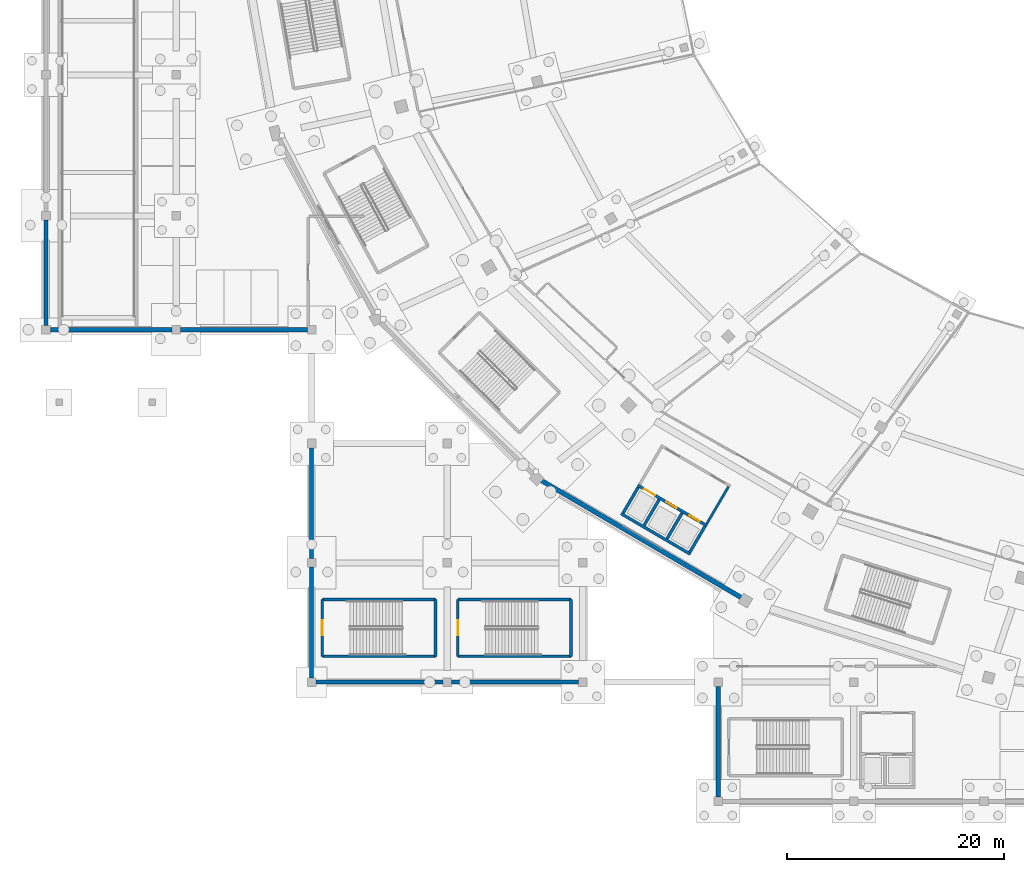
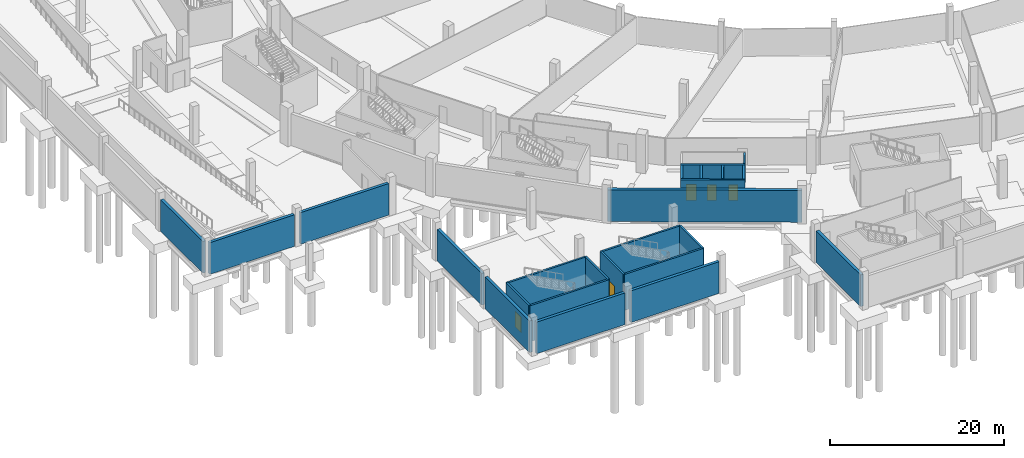
# One storey, part 31 of 74: 24 walls, 5 doors, 5 openings.
"""IFC4 building model written with IfcOpenShell, lengths in metres."""

from ifc_helpers import new_model, si_unit, direction, frame, frame_2d, origin, place, context, subcontext, project, spatial, rectangle, extrude, material, layer, layer_set, type_object, element, fill, save


model = new_model("IFC4")

# Units and contexts
model_context = context("Model", 3, precision=1e-05, world=origin(), true_north=direction((0.0, 1.0)))
body_context = subcontext(model_context, "Body", "Model", "MODEL_VIEW")
ifc_project = project(units=[si_unit("LENGTHUNIT", "METRE"), si_unit("AREAUNIT", "SQUARE_METRE"), si_unit("VOLUMEUNIT", "CUBIC_METRE"), si_unit("PLANEANGLEUNIT", "RADIAN"), si_unit("MASSUNIT", "GRAM", prefix="KILO")], contexts=[model_context])

# Site, building, storey
site_placement = place(None, origin())
site = spatial("IfcSite", under=ifc_project, at=site_placement, CompositionType="ELEMENT")
building_placement = place(site_placement, origin())
building = spatial("IfcBuilding", under=site, at=building_placement, Name="Zlatoyarsky Gate Stadium", CompositionType="ELEMENT")
storey_placement = place(building_placement, frame((0.0, 0.0, -5.39990234375)))
storey = spatial("IfcBuildingStorey", under=building, at=storey_placement, Name="B1", CompositionType="ELEMENT", Elevation=-5.39990234375)

# Walls
ifc_material_1 = material(Name="Concrete C35/45", Category="concrete")
ifc_layer_1 = layer(ifc_material_1, 0.419921875)
ifc_layer_set_1 = layer_set([ifc_layer_1], Name="Concrete C35/45")
wall_type_1 = type_object("IfcWallType", Name="CONCRETE BASEMENT RETAINING WALL 420", PredefinedType="SOLIDWALL", material=ifc_layer_set_1)
wall_1_placement = place(storey_placement, frame((45.2744140625, 29.830810546875, 0.0), z_axis=(0.0, 0.0, 1.0), x_axis=(0.862881315776, -0.505406603523, 0.0)))
element("IfcWall", 1, at=wall_1_placement, inside=storey, type_object=wall_type_1, Name="B1 perimeter retaining wall sector 15", PredefinedType="SOLIDWALL", context=body_context, shape_type="SweptSolid", body=[
    extrude(rectangle(XDim=22.3095703125, YDim=0.419921875, at=frame_2d((11.15478515625, 0.0))), origin(), (0.0, 0.0, 1.0), 4.449951171875),
])
ifc_material_2 = material(Name="Concrete C40/50", Category="concrete")
ifc_layer_2 = layer(ifc_material_2, 0.27001953125)
ifc_layer_set_2 = layer_set([ifc_layer_2], Name="Concrete C40/50")
wall_type_2 = type_object("IfcWallType", Name="CONCRETE LIFT SHAFT SHEAR WALL 270", PredefinedType="SHEAR", material=ifc_layer_set_2)
wall_2_placement = place(storey_placement, frame((53.037353515625, 26.541015625, 0.0), z_axis=(0.0, 0.0, 1.0), x_axis=(0.862865684113, -0.505433290534, 0.0)))
element("IfcWall", 2, at=wall_2_placement, inside=storey, type_object=wall_type_2, Name="C3 B1 lift shaft rear wall", PredefinedType="SHEAR", context=body_context, shape_type="SweptSolid", body=[
    extrude(rectangle(XDim=7.400146484375, YDim=0.27001953125, at=frame_2d((3.7001953125, 0.0))), origin(), (0.0, 0.0, 1.0), 5.0498046875),
])
for number, where, z_axis, x_axis, name in (
    (3, (53.227294921875, 26.597900390625, 0.0), (0.0, 0.0, 1.0), (0.505465660416, 0.862846722275, 0.0), "C3 B1 lift shaft left wall"),
    (4, (59.37939453125, 22.993896484375, 0.0), (0.0, 0.0, 1.0), (0.505465660416, 0.862846722275, 0.0), "C3 B1 lift shaft right wall"),
):
    element("IfcWall", number, at=place(storey_placement, frame(where, z_axis=z_axis, x_axis=x_axis)), inside=storey, type_object=wall_type_2, Name=name, PredefinedType="SHEAR", context=body_context, shape_type="SweptSolid", body=[
        extrude(rectangle(XDim=2.739990234375, YDim=0.27001953125, at=frame_2d((1.3701171875, 0.0))), origin(), (0.0, 0.0, 1.0), 5.0498046875),
    ])
wall_3_placement = place(storey_placement, frame((55.159912109375, 25.4658203125, 0.0), z_axis=(0.0, 0.0, 1.0), x_axis=(0.505504523015, 0.862823954936, 0.0)))
element("IfcWall", 5, at=wall_3_placement, inside=storey, type_object=wall_type_2, Name="C3 B1 lift shaft divider 1", PredefinedType="SHEAR", context=body_context, shape_type="SweptSolid", body=[
    extrude(rectangle(XDim=2.73974609375, YDim=0.27001953125, at=frame_2d((1.369873046875, 0.0))), origin(), (0.0, 0.0, 1.0), 5.0498046875),
])
wall_4_placement = place(storey_placement, frame((57.27392578125, 24.227294921875, 0.0), z_axis=(0.0, 0.0, 1.0), x_axis=(0.505465660416, 0.862846722275, 0.0)))
element("IfcWall", 6, at=wall_4_placement, inside=storey, type_object=wall_type_2, Name="C3 B1 lift shaft divider 2", PredefinedType="SHEAR", context=body_context, shape_type="SweptSolid", body=[
    extrude(rectangle(XDim=2.739990234375, YDim=0.27001953125, at=frame_2d((1.3701171875, 0.0))), origin(), (0.0, 0.0, 1.0), 5.0498046875),
])

# Wall, openings, doors
wall_5_placement = place(storey_placement, frame((54.569091796875, 29.155517578125, 0.0), z_axis=(0.0, 0.0, 1.0), x_axis=(0.862842866418, -0.505472242434, 0.0)))
wall_5 = element("IfcWall", 7, at=wall_5_placement, inside=storey, type_object=wall_type_2, Name="C3 B1 lift landing front wall", PredefinedType="SHEAR", context=body_context, shape_type="SweptSolid", body=[
    extrude(rectangle(XDim=7.39990234375, YDim=0.27001953125, at=frame_2d((3.699951171875, 0.0))), origin(), (0.0, 0.0, 1.0), 5.0498046875),
])
opening_1_placement = place(wall_5_placement, frame((0.64990234375, 0.0, 0.0)))
opening_1 = element("IfcOpeningElement", 8, at=opening_1_placement, cuts=wall_5, Name="Opening LD-FL-03-B1", PredefinedType="OPENING", context=body_context, shape_type="SweptSolid", body=[
    extrude(rectangle(XDim=1.199951171875, YDim=2.25, at=frame_2d((0.60009765625, 1.125))), frame((0.0, 0.14501953125, 0.0), z_axis=(0.0, -1.0, 0.0), x_axis=(1.0, 0.0, 0.0)), (0.0, 0.0, 1.0), 0.2900390625),
])
opening_2_placement = place(wall_5_placement, frame((3.050048828125, 0.0, 0.0)))
opening_2 = element("IfcOpeningElement", 9, at=opening_2_placement, cuts=wall_5, Name="Opening LD-LF-05-B1", PredefinedType="OPENING", context=body_context, shape_type="SweptSolid", body=[
    extrude(rectangle(XDim=1.10009765625, YDim=2.199951171875, at=frame_2d((0.550048828125, 1.10009765625))), frame((0.0, 0.14501953125, 0.0), z_axis=(0.0, -1.0, 0.0), x_axis=(1.0, 0.0, 0.0)), (0.0, 0.0, 1.0), 0.2900390625),
])
opening_3_placement = place(wall_5_placement, frame((5.5, 0.0, 0.0)))
opening_3 = element("IfcOpeningElement", 10, at=opening_3_placement, cuts=wall_5, Name="Opening LD-LF-06-B1", PredefinedType="OPENING", context=body_context, shape_type="SweptSolid", body=[
    extrude(rectangle(XDim=1.10009765625, YDim=2.199951171875, at=frame_2d((0.550048828125, 1.10009765625))), frame((0.0, 0.14501953125, 0.0), z_axis=(0.0, -1.0, 0.0), x_axis=(1.0, 0.0, 0.0)), (0.0, 0.0, 1.0), 0.2900390625),
])
ifc_material_3 = material(Name="Powder-coated steel fire door", Category="steel")
door_type_1 = type_object("IfcDoorType", Name="STAINLESS LIFT LANDING SLIDING DOOR 1100X2200", OperationType="DOUBLE_DOOR_SLIDING", PredefinedType="DOOR", material=ifc_material_3)
door_1_placement = place(opening_2_placement, origin())
door_1 = element("IfcDoor", 11, at=door_1_placement, inside=storey, type_object=door_type_1, Name="Lift LF-05 B1 sliding landing door", OperationType="DOUBLE_DOOR_SLIDING", OverallHeight=2.199951171875, OverallWidth=1.10009765625, PredefinedType="DOOR", context=body_context, shape_type="SweptSolid", body=[
    extrude(rectangle(XDim=1.10009765625, YDim=2.199951171875, at=frame_2d((0.550048828125, 1.10009765625))), frame((0.0, 0.02490234375, 0.0), z_axis=(0.0, -1.0, 0.0), x_axis=(1.0, 0.0, 0.0)), (0.0, 0.0, 1.0), 0.050048828125),
])
fill(opening_2, door_1)
door_2_placement = place(opening_3_placement, origin())
door_2 = element("IfcDoor", 12, at=door_2_placement, inside=storey, type_object=door_type_1, Name="Lift LF-06 B1 sliding landing door", OperationType="DOUBLE_DOOR_SLIDING", OverallHeight=2.199951171875, OverallWidth=1.10009765625, PredefinedType="DOOR", context=body_context, shape_type="SweptSolid", body=[
    extrude(rectangle(XDim=1.10009765625, YDim=2.199951171875, at=frame_2d((0.550048828125, 1.10009765625))), frame((0.0, 0.02490234375, 0.0), z_axis=(0.0, -1.0, 0.0), x_axis=(1.0, 0.0, 0.0)), (0.0, 0.0, 1.0), 0.050048828125),
])
fill(opening_3, door_2)
door_type_2 = type_object("IfcDoorType", Name="STAINLESS LIFT LANDING SLIDING DOOR 1200X2250", OperationType="DOUBLE_DOOR_SLIDING", PredefinedType="DOOR", material=ifc_material_3)
door_3_placement = place(opening_1_placement, origin())
door_3 = element("IfcDoor", 13, at=door_3_placement, inside=storey, type_object=door_type_2, Name="Lift FL-03 B1 sliding landing door", OperationType="DOUBLE_DOOR_SLIDING", OverallHeight=2.25, OverallWidth=1.199951171875, PredefinedType="DOOR", context=body_context, shape_type="SweptSolid", body=[
    extrude(rectangle(XDim=1.199951171875, YDim=2.25, at=frame_2d((0.60009765625, 1.125))), frame((0.0, 0.02490234375, 0.0), z_axis=(0.0, -1.0, 0.0), x_axis=(1.0, 0.0, 0.0)), (0.0, 0.0, 1.0), 0.050048828125),
])
fill(opening_1, door_3)

# Walls
ifc_layer_3 = layer(ifc_material_1, 0.3798828125)
ifc_layer_set_3 = layer_set([ifc_layer_3], Name="Concrete C35/45")
wall_type_3 = type_object("IfcWallType", Name="CONCRETE RAMP RETAINING WALL 380", PredefinedType="SOLIDWALL", material=ifc_layer_set_3)
wall_6_placement = place(storey_placement, frame((62.0, 0.39697265625, 0.0), z_axis=(0.0, 0.0, 1.0), x_axis=(0.0, 1.0, 0.0)))
element("IfcWall", 14, at=wall_6_placement, inside=storey, type_object=wall_type_3, Name="V3_SOUTH B1 W exterior wall", PredefinedType="SOLIDWALL", context=body_context, shape_type="SweptSolid", body=[
    extrude(rectangle(XDim=10.2060546875, YDim=0.3798828125, at=frame_2d((5.10302734375, 0.0))), origin(), (0.0, 0.0, 1.0), 4.429931640625),
])
wall_7_placement = place(storey_placement, frame((0.0, 43.89697265625, 0.0), z_axis=(0.0, 0.0, 1.0), x_axis=(0.0, 1.0, 0.0)))
element("IfcWall", 15, at=wall_7_placement, inside=storey, type_object=wall_type_3, Name="V4_WEST B1 W_LO exterior wall", PredefinedType="SOLIDWALL", context=body_context, shape_type="SweptSolid", body=[
    extrude(rectangle(XDim=9.7060546875, YDim=0.3798828125, at=frame_2d((4.85302734375, 0.0))), origin(), (0.0, 0.0, 1.0), 4.429931640625),
])
wall_8_placement = place(storey_placement, frame((0.39697265625, 43.5, 0.0), z_axis=(0.0, 0.0, 1.0), x_axis=(1.0, 0.0, 0.0)))
element("IfcWall", 16, at=wall_8_placement, inside=storey, type_object=wall_type_3, Name="V4_WEST B1 S exterior wall", PredefinedType="SOLIDWALL", context=body_context, shape_type="SweptSolid", body=[
    extrude(rectangle(XDim=11.2060546875, YDim=0.3798828125, at=frame_2d((5.60302734375, 0.0))), origin(), (0.0, 0.0, 1.0), 4.429931640625),
])
for number, where, z_axis, x_axis, name in (
    (17, (12.39697265625, 43.5, 0.0), (0.0, 0.0, 1.0), (1.0, 0.0, 0.0), "V4_WEST B1 S exterior wall"),
    (18, (24.89697265625, 11.0, 0.0), (0.0, 0.0, 1.0), (1.0, 0.0, 0.0), "V6_SW B1 S exterior wall"),
    (19, (37.39697265625, 11.0, 0.0), (0.0, 0.0, 1.0), (1.0, 0.0, 0.0), "V6_SW B1 S exterior wall"),
):
    element("IfcWall", number, at=place(storey_placement, frame(where, z_axis=z_axis, x_axis=x_axis)), inside=storey, type_object=wall_type_3, Name=name, PredefinedType="SOLIDWALL", context=body_context, shape_type="SweptSolid", body=[
        extrude(rectangle(XDim=11.7060546875, YDim=0.3798828125, at=frame_2d((5.85302734375, 0.0))), origin(), (0.0, 0.0, 1.0), 4.429931640625),
    ])
for number, where, z_axis, x_axis, name in (
    (20, (24.5, 11.39697265625, 0.0), (0.0, 0.0, 1.0), (0.0, 1.0, 0.0), "V6_SW B1 W exterior wall"),
    (21, (24.5, 22.39697265625, 0.0), (0.0, 0.0, 1.0), (0.0, 1.0, 0.0), "V6_SW B1 W exterior wall"),
):
    element("IfcWall", number, at=place(storey_placement, frame(where, z_axis=z_axis, x_axis=x_axis)), inside=storey, type_object=wall_type_3, Name=name, PredefinedType="SOLIDWALL", context=body_context, shape_type="SweptSolid", body=[
        extrude(rectangle(XDim=10.2060546875, YDim=0.3798828125, at=frame_2d((5.10302734375, 0.0))), origin(), (0.0, 0.0, 1.0), 4.429931640625),
    ])

# Wall, opening, door
ifc_layer_4 = layer(ifc_material_2, 0.25)
ifc_layer_set_4 = layer_set([ifc_layer_4], Name="Concrete C40/50")
wall_type_4 = type_object("IfcWallType", Name="CONCRETE STAIR CORE SHEAR WALL 250", PredefinedType="SHEAR", material=ifc_layer_set_4)
wall_9_placement = place(storey_placement, frame((25.47509765625, 18.625, 0.0), z_axis=(0.0, 0.0, 1.0), x_axis=(0.0, -1.0, 0.0)))
wall_9 = element("IfcWall", 22, at=wall_9_placement, inside=storey, type_object=wall_type_4, Name="ST-21 B1 stair core entrance shear wall", PredefinedType="SHEAR", context=body_context, shape_type="SweptSolid", body=[
    extrude(rectangle(XDim=5.25, YDim=0.25, at=frame_2d((2.625, 0.0))), origin(), (0.0, 0.0, 1.0), 5.0498046875),
])
opening_4_placement = place(wall_9_placement, frame((1.925048828125, 0.0, 0.0)))
opening_4 = element("IfcOpeningElement", 23, at=opening_4_placement, cuts=wall_9, Name="Opening SD-ST-21-B1", PredefinedType="OPENING", context=body_context, shape_type="SweptSolid", body=[
    extrude(rectangle(XDim=1.39990234375, YDim=2.199951171875, at=frame_2d((0.699951171875, 1.10009765625))), frame((0.0, 0.135009765625, 0.0), z_axis=(0.0, -1.0, 0.0), x_axis=(1.0, 0.0, 0.0)), (0.0, 0.0, 1.0), 0.27001953125),
])
door_type_3 = type_object("IfcDoorType", Name="STAIR CORE FIRE EXIT DOOR 1400X2200", OperationType="NOTDEFINED", PredefinedType="DOOR", material=ifc_material_3)
door_4_placement = place(opening_4_placement, frame((1.39990234375, 0.0, 0.0), z_axis=(0.0, 0.0, 1.0), x_axis=(-1.0, 0.0, 0.0)))
door_4 = element("IfcDoor", 24, at=door_4_placement, inside=storey, type_object=door_type_3, Name="ST-21 B1 stair fire door", OperationType="SINGLE_SWING_LEFT", OverallHeight=2.199951171875, OverallWidth=1.39990234375, PredefinedType="DOOR", context=body_context, shape_type="SweptSolid", body=[
    extrude(rectangle(XDim=1.39990234375, YDim=2.199951171875, at=frame_2d((0.699951171875, 1.10009765625))), frame((0.0, 0.02490234375, 0.0), z_axis=(0.0, -1.0, 0.0), x_axis=(1.0, 0.0, 0.0)), (0.0, 0.0, 1.0), 0.050048828125),
])
fill(opening_4, door_4)

# Walls
wall_10_placement = place(storey_placement, frame((25.47509765625, 13.375, 0.0), z_axis=(0.0, 0.0, 1.0), x_axis=(1.0, 0.0, 0.0)))
element("IfcWall", 25, at=wall_10_placement, inside=storey, type_object=wall_type_4, Name="ST-21 B1 stair core left shear wall", PredefinedType="SHEAR", context=body_context, shape_type="SweptSolid", body=[
    extrude(rectangle(XDim=10.449951171875, YDim=0.25, at=frame_2d((5.22509765625, 0.0))), origin(), (0.0, 0.0, 1.0), 5.0498046875),
])
wall_11_placement = place(storey_placement, frame((35.925048828125, 13.375, 0.0), z_axis=(0.0, 0.0, 1.0), x_axis=(0.0, 1.0, 0.0)))
element("IfcWall", 26, at=wall_11_placement, inside=storey, type_object=wall_type_4, Name="ST-21 B1 stair core far shear wall", PredefinedType="SHEAR", context=body_context, shape_type="SweptSolid", body=[
    extrude(rectangle(XDim=5.25, YDim=0.25, at=frame_2d((2.625, 0.0))), origin(), (0.0, 0.0, 1.0), 5.0498046875),
])
wall_12_placement = place(storey_placement, frame((35.925048828125, 18.625, 0.0), z_axis=(0.0, 0.0, 1.0), x_axis=(-1.0, 0.0, 0.0)))
element("IfcWall", 27, at=wall_12_placement, inside=storey, type_object=wall_type_4, Name="ST-21 B1 stair core right shear wall", PredefinedType="SHEAR", context=body_context, shape_type="SweptSolid", body=[
    extrude(rectangle(XDim=10.449951171875, YDim=0.25, at=frame_2d((5.22509765625, 0.0))), origin(), (0.0, 0.0, 1.0), 5.0498046875),
])

# Wall, opening, door
wall_13_placement = place(storey_placement, frame((37.97509765625, 18.625, 0.0), z_axis=(0.0, 0.0, 1.0), x_axis=(0.0, -1.0, 0.0)))
wall_13 = element("IfcWall", 28, at=wall_13_placement, inside=storey, type_object=wall_type_4, Name="ST-22 B1 stair core entrance shear wall", PredefinedType="SHEAR", context=body_context, shape_type="SweptSolid", body=[
    extrude(rectangle(XDim=5.25, YDim=0.25, at=frame_2d((2.625, 0.0))), origin(), (0.0, 0.0, 1.0), 5.0498046875),
])
opening_5_placement = place(wall_13_placement, frame((1.925048828125, 0.0, 0.0)))
opening_5 = element("IfcOpeningElement", 29, at=opening_5_placement, cuts=wall_13, Name="Opening SD-ST-22-B1", PredefinedType="OPENING", context=body_context, shape_type="SweptSolid", body=[
    extrude(rectangle(XDim=1.39990234375, YDim=2.199951171875, at=frame_2d((0.699951171875, 1.10009765625))), frame((0.0, 0.135009765625, 0.0), z_axis=(0.0, -1.0, 0.0), x_axis=(1.0, 0.0, 0.0)), (0.0, 0.0, 1.0), 0.27001953125),
])
door_5_placement = place(opening_5_placement, frame((1.39990234375, 0.0, 0.0), z_axis=(0.0, 0.0, 1.0), x_axis=(-1.0, 0.0, 0.0)))
door_5 = element("IfcDoor", 30, at=door_5_placement, inside=storey, type_object=door_type_3, Name="ST-22 B1 stair fire door", OperationType="SINGLE_SWING_RIGHT", OverallHeight=2.199951171875, OverallWidth=1.39990234375, PredefinedType="DOOR", context=body_context, shape_type="SweptSolid", body=[
    extrude(rectangle(XDim=1.39990234375, YDim=2.199951171875, at=frame_2d((0.699951171875, 1.10009765625))), frame((0.0, 0.02490234375, 0.0), z_axis=(0.0, -1.0, 0.0), x_axis=(1.0, 0.0, 0.0)), (0.0, 0.0, 1.0), 0.050048828125),
])
fill(opening_5, door_5)

# Walls
wall_14_placement = place(storey_placement, frame((37.97509765625, 13.375, 0.0), z_axis=(0.0, 0.0, 1.0), x_axis=(1.0, 0.0, 0.0)))
element("IfcWall", 31, at=wall_14_placement, inside=storey, type_object=wall_type_4, Name="ST-22 B1 stair core left shear wall", PredefinedType="SHEAR", context=body_context, shape_type="SweptSolid", body=[
    extrude(rectangle(XDim=10.449951171875, YDim=0.25, at=frame_2d((5.22509765625, 0.0))), origin(), (0.0, 0.0, 1.0), 5.0498046875),
])
wall_15_placement = place(storey_placement, frame((48.425048828125, 13.375, 0.0), z_axis=(0.0, 0.0, 1.0), x_axis=(0.0, 1.0, 0.0)))
element("IfcWall", 32, at=wall_15_placement, inside=storey, type_object=wall_type_4, Name="ST-22 B1 stair core far shear wall", PredefinedType="SHEAR", context=body_context, shape_type="SweptSolid", body=[
    extrude(rectangle(XDim=5.25, YDim=0.25, at=frame_2d((2.625, 0.0))), origin(), (0.0, 0.0, 1.0), 5.0498046875),
])
wall_16_placement = place(storey_placement, frame((48.425048828125, 18.625, 0.0), z_axis=(0.0, 0.0, 1.0), x_axis=(-1.0, 0.0, 0.0)))
element("IfcWall", 33, at=wall_16_placement, inside=storey, type_object=wall_type_4, Name="ST-22 B1 stair core right shear wall", PredefinedType="SHEAR", context=body_context, shape_type="SweptSolid", body=[
    extrude(rectangle(XDim=10.449951171875, YDim=0.25, at=frame_2d((5.22509765625, 0.0))), origin(), (0.0, 0.0, 1.0), 5.0498046875),
])
ifc_material_4 = material(Name="Autoclaved aerated concrete masonry EI 120", Category="masonry")
ifc_layer_5 = layer(ifc_material_4, 0.219970703125)
ifc_layer_set_5 = layer_set([ifc_layer_5], Name="Autoclaved aerated concrete masonry EI 120")
wall_type_5 = type_object("IfcWallType", Name="FIREFIGHTING LOBBY RATED WALL 220", PredefinedType="PARTITIONING", material=ifc_layer_set_5)
wall_17_placement = place(storey_placement, frame((60.9375, 25.6044921875, 0.0), z_axis=(0.0, 0.0, 1.0), x_axis=(0.505464443681, 0.862847435051, 0.0)))
element("IfcWall", 34, at=wall_17_placement, inside=storey, type_object=wall_type_5, Name="C3 B1 firefighting lobby right wall", PredefinedType="PARTITIONING", context=body_context, shape_type="SweptSolid", body=[
    extrude(rectangle(XDim=3.97998046875, YDim=0.219970703125, at=frame_2d((1.989990234375, 0.0))), origin(), (0.0, 0.0, 1.0), 3.7998046875),
])

save(model, "model.ifc")
